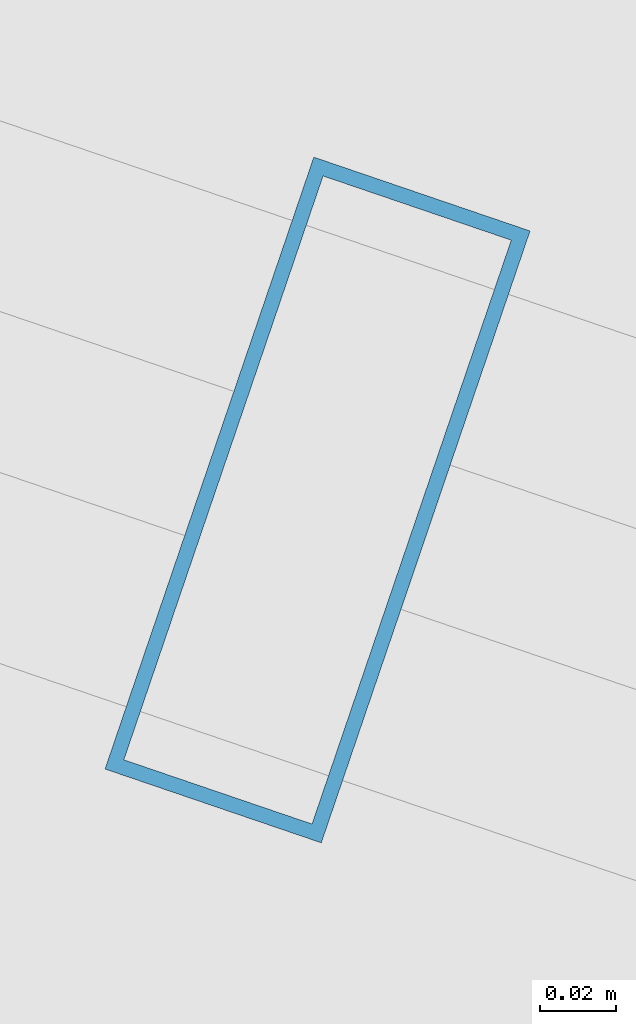
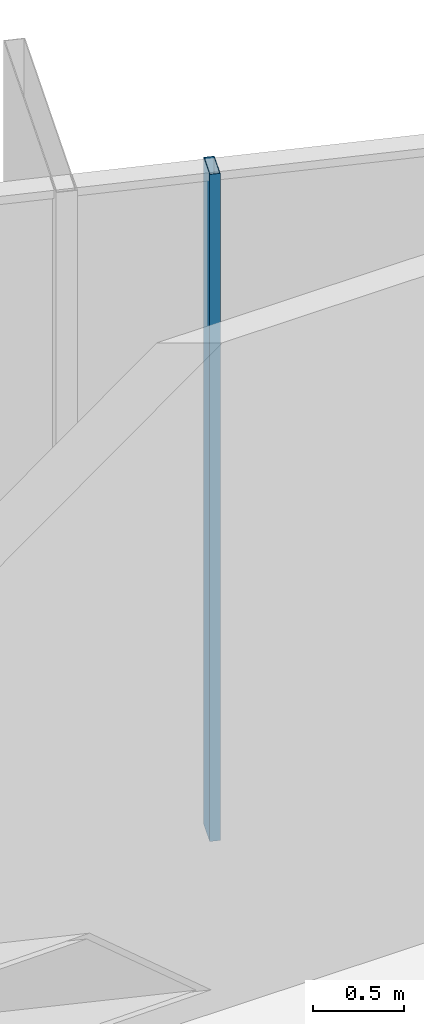
# One storey, part 28 of 36: 1 member, 1 element without a shape of its own.
"""IFC4 building model written with IfcOpenShell, lengths in metres."""

from ifc_helpers import new_model, si_unit, direction, frame, origin, origin_2d, place, context, subcontext, project, spatial, hollow_rectangle, extrude, source, transform, mapped, material, layer, layer_set, material_profile, profile_set, type_object, element, aggregate, save


model = new_model("IFC4")

# Units and contexts
model_context = context("Model", 3, precision=1e-05, world=origin(), true_north=direction((0.0, 1.0)))
body_context = subcontext(model_context, "Body", "Model", "MODEL_VIEW")
ifc_project = project(units=[si_unit("LENGTHUNIT", "METRE"), si_unit("AREAUNIT", "SQUARE_METRE"), si_unit("VOLUMEUNIT", "CUBIC_METRE"), si_unit("PLANEANGLEUNIT", "RADIAN"), si_unit("MASSUNIT", "GRAM", prefix="KILO")], contexts=[model_context])

# Site, building, storey
site_placement = place(None, origin())
site = spatial("IfcSite", under=ifc_project, at=site_placement, CompositionType="ELEMENT")
building_placement = place(site_placement, origin())
building = spatial("IfcBuilding", under=site, at=building_placement, Name="Veraguas Prism Commons", CompositionType="ELEMENT")
storey_placement = place(building_placement, frame((0.0, 0.0, 169.550048828125)))
storey = spatial("IfcBuildingStorey", under=building, at=storey_placement, Name="L48", CompositionType="ELEMENT", Elevation=169.550048828125)

# Curtain wall, member
ifc_material = material(Name="Anodised aluminium EN AW-6063 T6", Category="aluminium")
ifc_layer = layer(ifc_material, 0.169921875, Name="Unitised Flush Curtain Wall Zone 2", Category="aluminium")
ifc_layer_set = layer_set([ifc_layer], Name="Anodised aluminium EN AW-6063 T6")
curtain_wall_type = type_object("IfcCurtainWallType", Name="Unitised Flush Curtain Wall Zone 2", PredefinedType="NOTDEFINED", material=ifc_layer_set)
curtain_wall_placement = place(storey_placement, origin())
curtain_wall = element("IfcCurtainWall", 1, at=curtain_wall_placement, inside=storey, type_object=curtain_wall_type, Name="Tower Facade Curtain Wall L48-F1", PredefinedType="NOTDEFINED")
ifc_material_profile = material_profile(ifc_material, hollow_rectangle(XDim=0.06005859375, YDim=0.169921875, WallThickness=0.00390625, at=origin_2d()), Name="AL60X170X4")
ifc_profile_set = profile_set([ifc_material_profile], Name="Anodised aluminium EN AW-6063 T6")
member_type = type_object("IfcMemberType", Name="Curtain Wall Mullion Lower AL 60x170x4", PredefinedType="MULLION", material=ifc_profile_set)
shared_shape = source(origin(), body_context, "Body", "SweptSolid", [
    extrude(hollow_rectangle(XDim=0.06005859375, YDim=0.169921875, WallThickness=0.00390625, at=origin_2d()), origin(), (0.0, 0.0, 1.0), 4.47998046875),
])
member_placement = place(storey_placement, frame((34.272216796875, 40.763427734375, 0.0), z_axis=(0.0, 0.0, 1.0), x_axis=(-0.946424609155, 0.322924850679, 0.0)))
member = element("IfcMember", 2, at=member_placement, type_object=member_type, Name="CW-Z2 Mullion 2", PredefinedType="MULLION", context=body_context, shape_type="MappedRepresentation", body=[
    mapped(shared_shape, transform((0.0, 0.0, 0.0), scale=1.0)),
])
aggregate(curtain_wall, [member])

save(model, "model.ifc")
